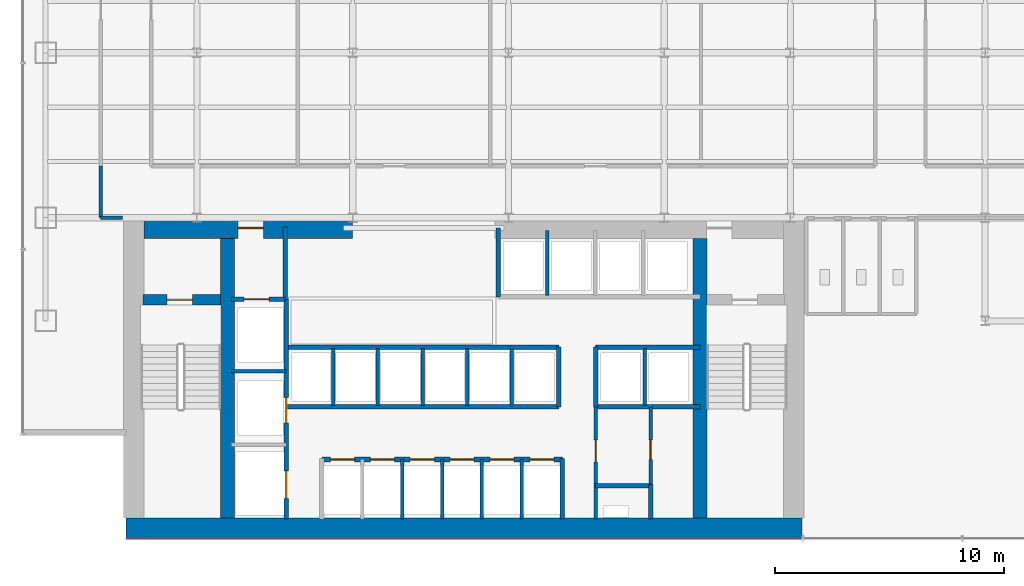
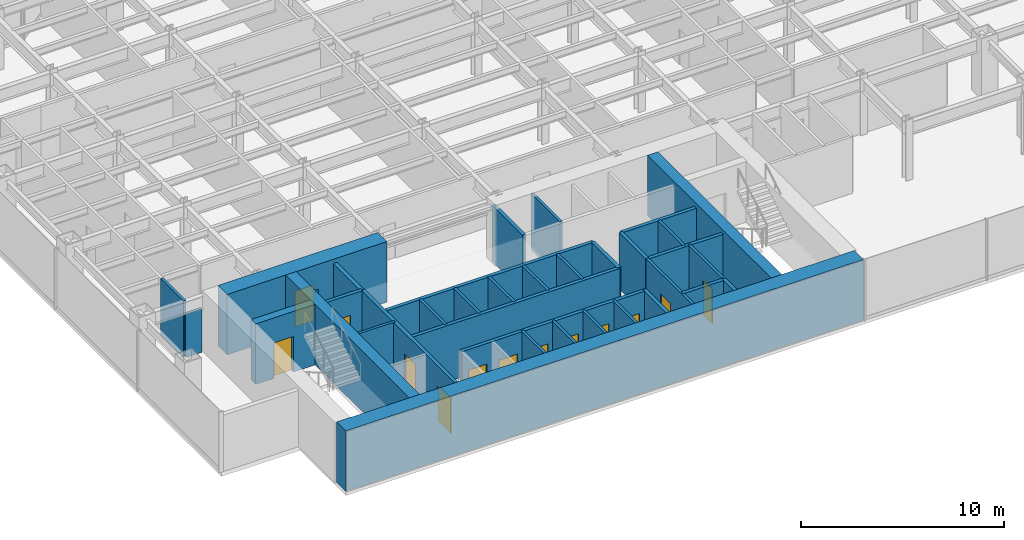
# One storey, part 17 of 22: 35 walls, 13 doors, 13 openings.
"""IFC4 building model written with IfcOpenShell, lengths in metres."""

from ifc_helpers import new_model, si_unit, derived_unit, direction, frame, frame_2d, origin, place, context, subcontext, project, spatial, rectangle, extrude, source, transform, mapped, material, layer, layer_set, type_object, element, fill, save


model = new_model("IFC4")

# Units and contexts
model_context = context("Model", 3, precision=1e-05, world=origin(), true_north=direction((0.0, 1.0)))
body_context = subcontext(model_context, "Body", "Model", "MODEL_VIEW")
ifc_project = project(units=[si_unit("LENGTHUNIT", "METRE"), si_unit("AREAUNIT", "SQUARE_METRE"), si_unit("VOLUMEUNIT", "CUBIC_METRE"), si_unit("PLANEANGLEUNIT", "RADIAN"), si_unit("MASSUNIT", "GRAM", prefix="KILO"), derived_unit("THERMALTRANSMITTANCEUNIT", [(si_unit("POWERUNIT", "WATT"), 1), (si_unit("LENGTHUNIT", "METRE"), -2), (si_unit("THERMODYNAMICTEMPERATUREUNIT", "KELVIN"), -1)])], contexts=[model_context])

# Site, building, storey
site_placement = place(None, origin())
site = spatial("IfcSite", under=ifc_project, at=site_placement, CompositionType="ELEMENT")
building_placement = place(site_placement, origin())
building = spatial("IfcBuilding", under=site, at=building_placement, Name="Skarnbrae Concourse Arena and Tower", CompositionType="ELEMENT")
storey_placement = place(building_placement, frame((0.0, 0.0, 65.35009765625)))
storey = spatial("IfcBuildingStorey", under=building, at=storey_placement, Name="L15", CompositionType="ELEMENT", Elevation=65.35009765625)

# Wall
ifc_material_1 = material(Name="Concrete 70 MPa (C70/85)", Category="concrete")
ifc_layer_1 = layer(ifc_material_1, 0.89990234375)
ifc_layer_set_1 = layer_set([ifc_layer_1], Name="Concrete 70 MPa (C70/85)")
wall_type_1 = type_object("IfcWallType", Name="WALL-CORE-900-C70", PredefinedType="SHEAR", material=ifc_layer_set_1)
shared_shape_1 = source(origin(), body_context, "Body", "SweptSolid", [
    extrude(rectangle(XDim=29.5, YDim=0.89990234375, at=frame_2d((14.75, 0.0))), origin(), (0.0, 0.0, 1.0), 3.64990234375),
])
wall_1_placement = place(storey_placement, frame((4.5, 0.449951171875, 0.0), z_axis=(0.0, 0.0, 1.0), x_axis=(1.0, 0.0, 0.0)))
element("IfcWall", 1, at=wall_1_placement, inside=storey, type_object=wall_type_1, Name="L15 Rear core shear wall CW-S", PredefinedType="SHEAR", context=body_context, shape_type="MappedRepresentation", body=[
    mapped(shared_shape_1, transform((0.0, 0.0, 0.0))),
])

# Wall, opening, door
shared_shape_2 = source(origin(), body_context, "Body", "SweptSolid", [
    extrude(rectangle(XDim=9.099853515625, YDim=0.89990234375, at=frame_2d((4.5498046875, 0.0))), origin(), (0.0, 0.0, 1.0), 3.64990234375),
])
wall_2_placement = place(storey_placement, frame((5.300048828125, 13.550048828125, 0.0), z_axis=(0.0, 0.0, 1.0), x_axis=(1.0, 0.0, 0.0)))
wall_2 = element("IfcWall", 2, at=wall_2_placement, inside=storey, type_object=wall_type_1, Name="L15 Rear core shear wall CW-NW", PredefinedType="SHEAR", context=body_context, shape_type="MappedRepresentation", body=[
    mapped(shared_shape_2, transform((0.0, 0.0, 0.0))),
])
opening_1_placement = place(wall_2_placement, frame((4.10009765625, 0.0, 0.0)))
opening_1 = element("IfcOpeningElement", 3, at=opening_1_placement, cuts=wall_2, Name="Opening DT-03", PredefinedType="OPENING", context=body_context, shape_type="SweptSolid", body=[
    extrude(rectangle(XDim=1.10009765625, YDim=2.14990234375, at=frame_2d((0.550048828125, 1.074951171875))), frame((0.0, 0.4599609375, 0.0), z_axis=(0.0, -1.0, 0.0), x_axis=(1.0, 0.0, 0.0)), (0.0, 0.0, 1.0), 0.919921875),
])
ifc_material_2 = material(Name="Steel CSA G40.21 350W", Category="steel")
door_type_1 = type_object("IfcDoorType", Name="DOOR-FIRE-1100-90M", OperationType="NOTDEFINED", PredefinedType="DOOR", material=ifc_material_2)
shared_shape_3 = source(origin(), body_context, "Body", "SweptSolid", [
    extrude(rectangle(XDim=1.10009765625, YDim=2.14990234375, at=frame_2d((0.550048828125, 1.074951171875))), frame((0.0, 0.02490234375, 0.0), z_axis=(0.0, -1.0, 0.0), x_axis=(1.0, 0.0, 0.0)), (0.0, 0.0, 1.0), 0.050048828125),
])
door_1_placement = place(opening_1_placement, origin())
door_1 = element("IfcDoor", 4, at=door_1_placement, inside=storey, type_object=door_type_1, Name="D-0576 Firefighting Lobby Exit Door", OperationType="SINGLE_SWING_RIGHT", OverallHeight=2.14990234375, OverallWidth=1.10009765625, PredefinedType="DOOR", context=body_context, shape_type="MappedRepresentation", body=[
    mapped(shared_shape_3, transform((0.0, 0.0, 0.0))),
])
fill(opening_1, door_1)

# Walls
ifc_layer_2 = layer(ifc_material_1, 0.60009765625)
ifc_layer_set_2 = layer_set([ifc_layer_2], Name="Concrete 70 MPa (C70/85)")
wall_type_2 = type_object("IfcWallType", Name="WALL-CORE-600-C70", PredefinedType="SHEAR", material=ifc_layer_set_2)
shared_shape_4 = source(origin(), body_context, "Body", "SweptSolid", [
    extrude(rectangle(XDim=12.2001953125, YDim=0.60009765625, at=frame_2d((6.10009765625, 0.0))), origin(), (0.0, 0.0, 1.0), 3.64990234375),
])
for number, where, z_axis, x_axis, name in (
    (5, (8.93994140625, 0.89990234375, 0.0), (0.0, 0.0, 1.0), (0.0, 1.0, 0.0), "L15 Rear core shear wall CW-WEB-W"),
    (6, (29.56005859375, 0.89990234375, 0.0), (0.0, 0.0, 1.0), (0.0, 1.0, 0.0), "L15 Rear core shear wall CW-WEB-E"),
):
    element("IfcWall", number, at=place(storey_placement, frame(where, z_axis=z_axis, x_axis=x_axis)), inside=storey, type_object=wall_type_2, Name=name, PredefinedType="SHEAR", context=body_context, shape_type="MappedRepresentation", body=[
        mapped(shared_shape_4, transform((0.0, 0.0, 0.0))),
    ])

# Wall, opening, door
ifc_material_3 = material(Name="Concrete 50 MPa (C50/60)", Category="concrete")
ifc_layer_3 = layer(ifc_material_3, 0.449951171875)
ifc_layer_set_3 = layer_set([ifc_layer_3], Name="Concrete 50 MPa (C50/60)")
wall_type_3 = type_object("IfcWallType", Name="WALL-CORE-450-C50", PredefinedType="SHEAR", material=ifc_layer_set_3)
shared_shape_5 = source(origin(), body_context, "Body", "SweptSolid", [
    extrude(rectangle(XDim=3.389892578125, YDim=0.449951171875, at=frame_2d((1.69482421875, 0.0))), origin(), (0.0, 0.0, 1.0), 3.64990234375),
])
wall_3_placement = place(storey_placement, frame((5.25, 10.419921875, 0.0), z_axis=(0.0, 0.0, 1.0), x_axis=(1.0, 0.0, 0.0)))
wall_3 = element("IfcWall", 7, at=wall_3_placement, inside=storey, type_object=wall_type_3, Name="L15 Rear core shear wall CW-ST1-N", PredefinedType="SHEAR", context=body_context, shape_type="MappedRepresentation", body=[
    mapped(shared_shape_5, transform((0.0, 0.0, 0.0))),
])
opening_2_placement = place(wall_3_placement, frame((1.050048828125, 0.0, 0.0)))
opening_2 = element("IfcOpeningElement", 8, at=opening_2_placement, cuts=wall_3, Name="Opening DT-03", PredefinedType="OPENING", context=body_context, shape_type="SweptSolid", body=[
    extrude(rectangle(XDim=1.10009765625, YDim=2.14990234375, at=frame_2d((0.550048828125, 1.074951171875))), frame((0.0, 0.23486328125, 0.0), z_axis=(0.0, -1.0, 0.0), x_axis=(1.0, 0.0, 0.0)), (0.0, 0.0, 1.0), 0.469970703125),
])
door_2_placement = place(opening_2_placement, frame((1.10009765625, 0.0, 0.0), z_axis=(0.0, 0.0, 1.0), x_axis=(-1.0, 0.0, 0.0)))
door_2 = element("IfcDoor", 9, at=door_2_placement, inside=storey, type_object=door_type_1, Name="D-0574 Stair ST-1 Door", OperationType="SINGLE_SWING_LEFT", OverallHeight=2.14990234375, OverallWidth=1.10009765625, PredefinedType="DOOR", context=body_context, shape_type="MappedRepresentation", body=[
    mapped(shared_shape_3, transform((0.0, 0.0, 0.0))),
])
fill(opening_2, door_2)

# Wall
ifc_material_4 = material(Name="Gypsum board on cold-formed steel studs", Category="steel")
ifc_layer_4 = layer(ifc_material_4, 0.199951171875)
ifc_layer_set_4 = layer_set([ifc_layer_4], Name="Gypsum board on cold-formed steel studs")
wall_type_4 = type_object("IfcWallType", Name="WALL-PART-200-2HR", PredefinedType="PARTITIONING", material=ifc_layer_set_4)
shared_shape_6 = source(origin(), body_context, "Body", "SweptSolid", [
    extrude(rectangle(XDim=3.18017578125, YDim=0.199951171875, at=frame_2d((1.590087890625, 0.0))), origin(), (0.0, 0.0, 1.0), 3.39990234375),
])
wall_4_placement = place(storey_placement, frame((11.449951171875, 10.419921875, 0.0), z_axis=(0.0, 0.0, 1.0), x_axis=(0.0, 1.0, 0.0)))
element("IfcWall", 10, at=wall_4_placement, inside=storey, type_object=wall_type_4, Name="L15 Interior partition wall W-L15-FFL-E", PredefinedType="PARTITIONING", context=body_context, shape_type="MappedRepresentation", body=[
    mapped(shared_shape_6, transform((0.0, 0.0, 0.0))),
])

# Wall, opening, door
shared_shape_7 = source(origin(), body_context, "Body", "SweptSolid", [
    extrude(rectangle(XDim=2.349853515625, YDim=0.199951171875, at=frame_2d((1.1748046875, 0.0))), origin(), (0.0, 0.0, 1.0), 3.39990234375),
])
wall_5_placement = place(storey_placement, frame((9.10009765625, 10.449951171875, 0.0), z_axis=(0.0, 0.0, 1.0), x_axis=(1.0, 0.0, 0.0)))
wall_5 = element("IfcWall", 11, at=wall_5_placement, inside=storey, type_object=wall_type_4, Name="L15 Interior partition wall W-L15-FL1-N", PredefinedType="PARTITIONING", context=body_context, shape_type="MappedRepresentation", body=[
    mapped(shared_shape_7, transform((0.0, 0.0, 0.0))),
])
opening_3_placement = place(wall_5_placement, frame((0.550048828125, 0.0, 0.0)))
opening_3 = element("IfcOpeningElement", 12, at=opening_3_placement, cuts=wall_5, Name="Opening LD-01", PredefinedType="OPENING", context=body_context, shape_type="SweptSolid", body=[
    extrude(rectangle(XDim=1.10009765625, YDim=2.14990234375, at=frame_2d((0.550048828125, 1.074951171875))), frame((0.0, 0.10986328125, 0.0), z_axis=(0.0, -1.0, 0.0), x_axis=(1.0, 0.0, 0.0)), (0.0, 0.0, 1.0), 0.219970703125),
])
door_type_2 = type_object("IfcDoorType", Name="DOOR-LIFT-SLIDE-1100", OperationType="SLIDING_TO_LEFT", PredefinedType="DOOR", material=ifc_material_2)
door_3_placement = place(opening_3_placement, origin())
door_3 = element("IfcDoor", 13, at=door_3_placement, inside=storey, type_object=door_type_2, Name="D-0578 Firefighting Lift Landing Door FL-01", OperationType="SLIDING_TO_LEFT", OverallHeight=2.14990234375, OverallWidth=1.10009765625, PredefinedType="DOOR", context=body_context, shape_type="MappedRepresentation", body=[
    mapped(shared_shape_3, transform((0.0, 0.0, 0.0))),
])
fill(opening_3, door_3)

# Wall, openings, doors
shared_shape_8 = source(origin(), body_context, "Body", "SweptSolid", [
    extrude(rectangle(XDim=9.599853515625, YDim=0.199951171875, at=frame_2d((4.7998046875, 0.0))), origin(), (0.0, 0.0, 1.0), 3.39990234375),
])
wall_6_placement = place(storey_placement, frame((11.5, 0.85009765625, 0.0), z_axis=(0.0, 0.0, 1.0), x_axis=(0.0, 1.0, 0.0)))
wall_6 = element("IfcWall", 14, at=wall_6_placement, inside=storey, type_object=wall_type_4, Name="L15 Interior partition wall W-L15-FL-E", PredefinedType="PARTITIONING", context=body_context, shape_type="MappedRepresentation", body=[
    mapped(shared_shape_8, transform((0.0, 0.0, 0.0))),
])
opening_4_placement = place(wall_6_placement, frame((4.199951171875, 0.0, 0.0)))
opening_4 = element("IfcOpeningElement", 15, at=opening_4_placement, cuts=wall_6, Name="Opening LD-01", PredefinedType="OPENING", context=body_context, shape_type="SweptSolid", body=[
    extrude(rectangle(XDim=1.10009765625, YDim=2.14990234375, at=frame_2d((0.550048828125, 1.074951171875))), frame((0.0, 0.10986328125, 0.0), z_axis=(0.0, -1.0, 0.0), x_axis=(1.0, 0.0, 0.0)), (0.0, 0.0, 1.0), 0.219970703125),
])
opening_5_placement = place(wall_6_placement, frame((0.89990234375, 0.0, 0.0)))
opening_5 = element("IfcOpeningElement", 16, at=opening_5_placement, cuts=wall_6, Name="Opening LD-02", PredefinedType="OPENING", context=body_context, shape_type="SweptSolid", body=[
    extrude(rectangle(XDim=1.199951171875, YDim=2.14990234375, at=frame_2d((0.60009765625, 1.074951171875))), frame((0.0, 0.10986328125, 0.0), z_axis=(0.0, -1.0, 0.0), x_axis=(1.0, 0.0, 0.0)), (0.0, 0.0, 1.0), 0.219970703125),
])
door_4_placement = place(opening_4_placement, frame((1.10009765625, 0.0, 0.0), z_axis=(0.0, 0.0, 1.0), x_axis=(-1.0, 0.0, 0.0)))
door_4 = element("IfcDoor", 17, at=door_4_placement, inside=storey, type_object=door_type_2, Name="D-0579 Firefighting Lift Landing Door FL-02", OperationType="SLIDING_TO_LEFT", OverallHeight=2.14990234375, OverallWidth=1.10009765625, PredefinedType="DOOR", context=body_context, shape_type="MappedRepresentation", body=[
    mapped(shared_shape_3, transform((0.0, 0.0, 0.0))),
])
fill(opening_4, door_4)
door_type_3 = type_object("IfcDoorType", Name="DOOR-LIFT-SLIDE-1200", OperationType="SLIDING_TO_LEFT", PredefinedType="DOOR", material=ifc_material_2)
shared_shape_9 = source(origin(), body_context, "Body", "SweptSolid", [
    extrude(rectangle(XDim=1.199951171875, YDim=2.14990234375, at=frame_2d((0.60009765625, 1.074951171875))), frame((0.0, 0.02490234375, 0.0), z_axis=(0.0, -1.0, 0.0), x_axis=(1.0, 0.0, 0.0)), (0.0, 0.0, 1.0), 0.050048828125),
])
door_5_placement = place(opening_5_placement, frame((1.199951171875, 0.0, 0.0), z_axis=(0.0, 0.0, 1.0), x_axis=(-1.0, 0.0, 0.0)))
door_5 = element("IfcDoor", 18, at=door_5_placement, inside=storey, type_object=door_type_3, Name="D-0580 Service Lift Landing Door SV-01", OperationType="SLIDING_TO_LEFT", OverallHeight=2.14990234375, OverallWidth=1.199951171875, PredefinedType="DOOR", context=body_context, shape_type="MappedRepresentation", body=[
    mapped(shared_shape_9, transform((0.0, 0.0, 0.0))),
])
fill(opening_5, door_5)

# Walls
ifc_layer_5 = layer(ifc_material_4, 0.14990234375)
ifc_layer_set_5 = layer_set([ifc_layer_5], Name="Gypsum board on cold-formed steel studs")
wall_type_5 = type_object("IfcWallType", Name="WALL-PART-150", PredefinedType="PARTITIONING", material=ifc_layer_set_5)
shared_shape_10 = source(origin(), body_context, "Body", "SweptSolid", [
    extrude(rectangle(XDim=2.39990234375, YDim=0.14990234375, at=frame_2d((1.199951171875, 0.0))), origin(), (0.0, 0.0, 1.0), 3.39990234375),
])
wall_7_placement = place(storey_placement, frame((9.10009765625, 7.300048828125, 0.0), z_axis=(0.0, 0.0, 1.0), x_axis=(1.0, 0.0, 0.0)))
element("IfcWall", 19, at=wall_7_placement, inside=storey, type_object=wall_type_5, Name="L15 Interior partition wall W-L15-FL-D2", PredefinedType="PARTITIONING", context=body_context, shape_type="MappedRepresentation", body=[
    mapped(shared_shape_10, transform((0.0, 0.0, 0.0))),
])
shared_shape_11 = source(origin(), body_context, "Body", "SweptSolid", [
    extrude(rectangle(XDim=2.64990234375, YDim=0.199951171875, at=frame_2d((1.324951171875, 0.0))), origin(), (0.0, 0.0, 1.0), 3.39990234375),
])
wall_8_placement = place(storey_placement, frame((23.550048828125, 0.85009765625, 0.0), z_axis=(0.0, 0.0, 1.0), x_axis=(0.0, 1.0, 0.0)))
element("IfcWall", 20, at=wall_8_placement, inside=storey, type_object=wall_type_4, Name="L15 Interior partition wall W-L15-B1-E", PredefinedType="PARTITIONING", context=body_context, shape_type="MappedRepresentation", body=[
    mapped(shared_shape_11, transform((0.0, 0.0, 0.0))),
])

# Wall, openings, doors
shared_shape_12 = source(origin(), body_context, "Body", "SweptSolid", [
    extrude(rectangle(XDim=10.5, YDim=0.199951171875, at=frame_2d((5.25, 0.0))), origin(), (0.0, 0.0, 1.0), 3.39990234375),
])
wall_9_placement = place(storey_placement, frame((13.050048828125, 3.449951171875, 0.0), z_axis=(0.0, 0.0, 1.0), x_axis=(1.0, 0.0, 0.0)))
wall_9 = element("IfcWall", 21, at=wall_9_placement, inside=storey, type_object=wall_type_4, Name="L15 Interior partition wall W-L15-B1-N", PredefinedType="PARTITIONING", context=body_context, shape_type="MappedRepresentation", body=[
    mapped(shared_shape_12, transform((0.0, 0.0, 0.0))),
])
opening_6_placement = place(wall_9_placement, frame((0.3798828125, 0.0, 0.0)))
opening_6 = element("IfcOpeningElement", 22, at=opening_6_placement, cuts=wall_9, Name="Opening LD-03", PredefinedType="OPENING", context=body_context, shape_type="SweptSolid", body=[
    extrude(rectangle(XDim=1.050048828125, YDim=2.14990234375, at=frame_2d((0.52490234375, 1.074951171875))), frame((0.0, 0.10986328125, 0.0), z_axis=(0.0, -1.0, 0.0), x_axis=(1.0, 0.0, 0.0)), (0.0, 0.0, 1.0), 0.219970703125),
])
opening_7_placement = place(wall_9_placement, frame((2.1201171875, 0.0, 0.0)))
opening_7 = element("IfcOpeningElement", 23, at=opening_7_placement, cuts=wall_9, Name="Opening LD-03", PredefinedType="OPENING", context=body_context, shape_type="SweptSolid", body=[
    extrude(rectangle(XDim=1.050048828125, YDim=2.14990234375, at=frame_2d((0.52490234375, 1.074951171875))), frame((0.0, 0.10986328125, 0.0), z_axis=(0.0, -1.0, 0.0), x_axis=(1.0, 0.0, 0.0)), (0.0, 0.0, 1.0), 0.219970703125),
])
opening_8_placement = place(wall_9_placement, frame((3.860107421875, 0.0, 0.0)))
opening_8 = element("IfcOpeningElement", 24, at=opening_8_placement, cuts=wall_9, Name="Opening LD-03", PredefinedType="OPENING", context=body_context, shape_type="SweptSolid", body=[
    extrude(rectangle(XDim=1.050048828125, YDim=2.14990234375, at=frame_2d((0.52490234375, 1.074951171875))), frame((0.0, 0.10986328125, 0.0), z_axis=(0.0, -1.0, 0.0), x_axis=(1.0, 0.0, 0.0)), (0.0, 0.0, 1.0), 0.219970703125),
])
opening_9_placement = place(wall_9_placement, frame((5.60009765625, 0.0, 0.0)))
opening_9 = element("IfcOpeningElement", 25, at=opening_9_placement, cuts=wall_9, Name="Opening LD-03", PredefinedType="OPENING", context=body_context, shape_type="SweptSolid", body=[
    extrude(rectangle(XDim=1.050048828125, YDim=2.14990234375, at=frame_2d((0.52490234375, 1.074951171875))), frame((0.0, 0.10986328125, 0.0), z_axis=(0.0, -1.0, 0.0), x_axis=(1.0, 0.0, 0.0)), (0.0, 0.0, 1.0), 0.219970703125),
])
opening_10_placement = place(wall_9_placement, frame((7.340087890625, 0.0, 0.0)))
opening_10 = element("IfcOpeningElement", 26, at=opening_10_placement, cuts=wall_9, Name="Opening LD-03", PredefinedType="OPENING", context=body_context, shape_type="SweptSolid", body=[
    extrude(rectangle(XDim=1.050048828125, YDim=2.14990234375, at=frame_2d((0.52490234375, 1.074951171875))), frame((0.0, 0.10986328125, 0.0), z_axis=(0.0, -1.0, 0.0), x_axis=(1.0, 0.0, 0.0)), (0.0, 0.0, 1.0), 0.219970703125),
])
opening_11_placement = place(wall_9_placement, frame((9.080078125, 0.0, 0.0)))
opening_11 = element("IfcOpeningElement", 27, at=opening_11_placement, cuts=wall_9, Name="Opening LD-03", PredefinedType="OPENING", context=body_context, shape_type="SweptSolid", body=[
    extrude(rectangle(XDim=1.050048828125, YDim=2.14990234375, at=frame_2d((0.52490234375, 1.074951171875))), frame((0.0, 0.10986328125, 0.0), z_axis=(0.0, -1.0, 0.0), x_axis=(1.0, 0.0, 0.0)), (0.0, 0.0, 1.0), 0.219970703125),
])
ifc_material_5 = material(Name="Bronze anodised aluminium 6063-T6", Category="aluminium")
door_type_4 = type_object("IfcDoorType", Name="DOOR-LIFT-SLIDE-1050", OperationType="SLIDING_TO_LEFT", PredefinedType="DOOR", material=ifc_material_5)
shared_shape_13 = source(origin(), body_context, "Body", "SweptSolid", [
    extrude(rectangle(XDim=1.050048828125, YDim=2.14990234375, at=frame_2d((0.52490234375, 1.074951171875))), frame((0.0, 0.02490234375, 0.0), z_axis=(0.0, -1.0, 0.0), x_axis=(1.0, 0.0, 0.0)), (0.0, 0.0, 1.0), 0.050048828125),
])
door_6_placement = place(opening_6_placement, origin())
door_6 = element("IfcDoor", 28, at=door_6_placement, inside=storey, type_object=door_type_4, Name="D-0581 Passenger Lift Landing Door PL-1A", OperationType="SLIDING_TO_LEFT", OverallHeight=2.14990234375, OverallWidth=1.050048828125, PredefinedType="DOOR", context=body_context, shape_type="MappedRepresentation", body=[
    mapped(shared_shape_13, transform((0.0, 0.0, 0.0))),
])
fill(opening_6, door_6)
door_7_placement = place(opening_7_placement, origin())
door_7 = element("IfcDoor", 29, at=door_7_placement, inside=storey, type_object=door_type_4, Name="D-0582 Passenger Lift Landing Door PL-1B", OperationType="SLIDING_TO_LEFT", OverallHeight=2.14990234375, OverallWidth=1.050048828125, PredefinedType="DOOR", context=body_context, shape_type="MappedRepresentation", body=[
    mapped(shared_shape_13, transform((0.0, 0.0, 0.0))),
])
fill(opening_7, door_7)
door_8_placement = place(opening_8_placement, origin())
door_8 = element("IfcDoor", 30, at=door_8_placement, inside=storey, type_object=door_type_4, Name="D-0583 Passenger Lift Landing Door PL-1C", OperationType="SLIDING_TO_LEFT", OverallHeight=2.14990234375, OverallWidth=1.050048828125, PredefinedType="DOOR", context=body_context, shape_type="MappedRepresentation", body=[
    mapped(shared_shape_13, transform((0.0, 0.0, 0.0))),
])
fill(opening_8, door_8)
door_9_placement = place(opening_9_placement, origin())
door_9 = element("IfcDoor", 31, at=door_9_placement, inside=storey, type_object=door_type_4, Name="D-0584 Passenger Lift Landing Door PL-1D", OperationType="SLIDING_TO_LEFT", OverallHeight=2.14990234375, OverallWidth=1.050048828125, PredefinedType="DOOR", context=body_context, shape_type="MappedRepresentation", body=[
    mapped(shared_shape_13, transform((0.0, 0.0, 0.0))),
])
fill(opening_9, door_9)
door_10_placement = place(opening_10_placement, origin())
door_10 = element("IfcDoor", 32, at=door_10_placement, inside=storey, type_object=door_type_4, Name="D-0585 Passenger Lift Landing Door PL-1E", OperationType="SLIDING_TO_LEFT", OverallHeight=2.14990234375, OverallWidth=1.050048828125, PredefinedType="DOOR", context=body_context, shape_type="MappedRepresentation", body=[
    mapped(shared_shape_13, transform((0.0, 0.0, 0.0))),
])
fill(opening_10, door_10)
door_11_placement = place(opening_11_placement, origin())
door_11 = element("IfcDoor", 33, at=door_11_placement, inside=storey, type_object=door_type_4, Name="D-0586 Passenger Lift Landing Door PL-1F", OperationType="SLIDING_TO_LEFT", OverallHeight=2.14990234375, OverallWidth=1.050048828125, PredefinedType="DOOR", context=body_context, shape_type="MappedRepresentation", body=[
    mapped(shared_shape_13, transform((0.0, 0.0, 0.0))),
])
fill(opening_11, door_11)

# Walls
shared_shape_14 = source(origin(), body_context, "Body", "SweptSolid", [
    extrude(rectangle(XDim=2.599853515625, YDim=0.14990234375, at=frame_2d((1.2998046875, 0.0))), origin(), (0.0, 0.0, 1.0), 3.39990234375),
])
for number, where, z_axis, x_axis, name in (
    (34, (16.56005859375, 0.85009765625, 0.0), (0.0, 0.0, 1.0), (0.0, 1.0, 0.0), "L15 Interior partition wall W-L15-B1-P2"),
    (35, (18.300048828125, 0.85009765625, 0.0), (0.0, 0.0, 1.0), (0.0, 1.0, 0.0), "L15 Interior partition wall W-L15-B1-P3"),
    (36, (20.0400390625, 0.85009765625, 0.0), (0.0, 0.0, 1.0), (0.0, 1.0, 0.0), "L15 Interior partition wall W-L15-B1-P4"),
    (37, (21.780029296875, 0.85009765625, 0.0), (0.0, 0.0, 1.0), (0.0, 1.0, 0.0), "L15 Interior partition wall W-L15-B1-P5"),
):
    element("IfcWall", number, at=place(storey_placement, frame(where, z_axis=z_axis, x_axis=x_axis)), inside=storey, type_object=wall_type_5, Name=name, PredefinedType="PARTITIONING", context=body_context, shape_type="MappedRepresentation", body=[
        mapped(shared_shape_14, transform((0.0, 0.0, 0.0))),
    ])
shared_shape_15 = source(origin(), body_context, "Body", "SweptSolid", [
    extrude(rectangle(XDim=11.849853515625, YDim=0.199951171875, at=frame_2d((5.9248046875, 0.0))), origin(), (0.0, 0.0, 1.0), 3.39990234375),
])
for number, where, z_axis, x_axis, name in (
    (38, (11.550048828125, 5.75, 0.0), (0.0, 0.0, 1.0), (1.0, 0.0, 0.0), "L15 Interior partition wall W-L15-B2-S"),
    (39, (11.550048828125, 8.35009765625, 0.0), (0.0, 0.0, 1.0), (1.0, 0.0, 0.0), "L15 Interior partition wall W-L15-B2-N"),
):
    element("IfcWall", number, at=place(storey_placement, frame(where, z_axis=z_axis, x_axis=x_axis)), inside=storey, type_object=wall_type_4, Name=name, PredefinedType="PARTITIONING", context=body_context, shape_type="MappedRepresentation", body=[
        mapped(shared_shape_15, transform((0.0, 0.0, 0.0))),
    ])
shared_shape_16 = source(origin(), body_context, "Body", "SweptSolid", [
    extrude(rectangle(XDim=2.60009765625, YDim=0.199951171875, at=frame_2d((1.300048828125, 0.0))), origin(), (0.0, 0.0, 1.0), 3.39990234375),
])
for number, where, z_axis, x_axis, name in (
    (40, (23.39990234375, 5.75, 0.0), (0.0, 0.0, 1.0), (0.0, 1.0, 0.0), "L15 Interior partition wall W-L15-B2-E"),
    (41, (25.0, 5.75, 0.0), (0.0, 0.0, 1.0), (0.0, 1.0, 0.0), "L15 Interior partition wall W-L15-B3S-W"),
):
    element("IfcWall", number, at=place(storey_placement, frame(where, z_axis=z_axis, x_axis=x_axis)), inside=storey, type_object=wall_type_4, Name=name, PredefinedType="PARTITIONING", context=body_context, shape_type="MappedRepresentation", body=[
        mapped(shared_shape_16, transform((0.0, 0.0, 0.0))),
    ])
shared_shape_17 = source(origin(), body_context, "Body", "SweptSolid", [
    extrude(rectangle(XDim=2.5, YDim=0.14990234375, at=frame_2d((1.25, 0.0))), origin(), (0.0, 0.0, 1.0), 3.39990234375),
])
for number, where, z_axis, x_axis, name in (
    (42, (13.550048828125, 5.800048828125, 0.0), (0.0, 0.0, 1.0), (0.0, 1.0, 0.0), "L15 Interior partition wall W-L15-B2-P1"),
    (43, (15.5, 5.800048828125, 0.0), (0.0, 0.0, 1.0), (0.0, 1.0, 0.0), "L15 Interior partition wall W-L15-B2-P2"),
    (44, (17.449951171875, 5.800048828125, 0.0), (0.0, 0.0, 1.0), (0.0, 1.0, 0.0), "L15 Interior partition wall W-L15-B2-P3"),
    (45, (19.39990234375, 5.800048828125, 0.0), (0.0, 0.0, 1.0), (0.0, 1.0, 0.0), "L15 Interior partition wall W-L15-B2-P4"),
    (46, (21.35009765625, 5.800048828125, 0.0), (0.0, 0.0, 1.0), (0.0, 1.0, 0.0), "L15 Interior partition wall W-L15-B2-P5"),
    (47, (27.139892578125, 5.800048828125, 0.0), (0.0, 0.0, 1.0), (0.0, 1.0, 0.0), "L15 Interior partition wall W-L15-B3S-P1"),
):
    element("IfcWall", number, at=place(storey_placement, frame(where, z_axis=z_axis, x_axis=x_axis)), inside=storey, type_object=wall_type_5, Name=name, PredefinedType="PARTITIONING", context=body_context, shape_type="MappedRepresentation", body=[
        mapped(shared_shape_17, transform((0.0, 0.0, 0.0))),
    ])
shared_shape_18 = source(origin(), body_context, "Body", "SweptSolid", [
    extrude(rectangle(XDim=3.0, YDim=0.199951171875, at=frame_2d((1.5, 0.0))), origin(), (0.0, 0.0, 1.0), 3.39990234375),
])
wall_10_placement = place(storey_placement, frame((20.75, 10.550048828125, 0.0), z_axis=(0.0, 0.0, 1.0), x_axis=(0.0, 1.0, 0.0)))
element("IfcWall", 48, at=wall_10_placement, inside=storey, type_object=wall_type_4, Name="L15 Interior partition wall W-L15-B3N-W", PredefinedType="PARTITIONING", context=body_context, shape_type="MappedRepresentation", body=[
    mapped(shared_shape_18, transform((0.0, 0.0, 0.0))),
])
shared_shape_19 = source(origin(), body_context, "Body", "SweptSolid", [
    extrude(rectangle(XDim=2.849853515625, YDim=0.14990234375, at=frame_2d((1.4248046875, 0.0))), origin(), (0.0, 0.0, 1.0), 3.39990234375),
])
wall_11_placement = place(storey_placement, frame((22.889892578125, 10.60009765625, 0.0), z_axis=(0.0, 0.0, 1.0), x_axis=(0.0, 1.0, 0.0)))
element("IfcWall", 49, at=wall_11_placement, inside=storey, type_object=wall_type_5, Name="L15 Interior partition wall W-L15-B3N-P1", PredefinedType="PARTITIONING", context=body_context, shape_type="MappedRepresentation", body=[
    mapped(shared_shape_19, transform((0.0, 0.0, 0.0))),
])
shared_shape_20 = source(origin(), body_context, "Body", "SweptSolid", [
    extrude(rectangle(XDim=4.550048828125, YDim=0.199951171875, at=frame_2d((2.27490234375, 0.0))), origin(), (0.0, 0.0, 1.0), 3.39990234375),
])
for number, where, z_axis, x_axis, name in (
    (50, (25.0, 8.35009765625, 0.0), (0.0, 0.0, 1.0), (1.0, 0.0, 0.0), "L15 Interior partition wall W-L15-B3S-N"),
    (51, (25.0, 5.75, 0.0), (0.0, 0.0, 1.0), (1.0, 0.0, 0.0), "L15 Interior partition wall W-L15-B3S-S"),
):
    element("IfcWall", number, at=place(storey_placement, frame(where, z_axis=z_axis, x_axis=x_axis)), inside=storey, type_object=wall_type_4, Name=name, PredefinedType="PARTITIONING", context=body_context, shape_type="MappedRepresentation", body=[
        mapped(shared_shape_20, transform((0.0, 0.0, 0.0))),
    ])

# Wall, opening, door
ifc_layer_6 = layer(ifc_material_4, 0.14990234375)
ifc_layer_set_6 = layer_set([ifc_layer_6], Name="Gypsum board on cold-formed steel studs")
wall_type_6 = type_object("IfcWallType", Name="WALL-PART-150-1HR", PredefinedType="PARTITIONING", material=ifc_layer_set_6)
shared_shape_21 = source(origin(), body_context, "Body", "SweptSolid", [
    extrude(rectangle(XDim=4.89990234375, YDim=0.14990234375, at=frame_2d((2.449951171875, 0.0))), origin(), (0.0, 0.0, 1.0), 3.39990234375),
])
wall_12_placement = place(storey_placement, frame((25.0, 0.85009765625, 0.0), z_axis=(0.0, 0.0, 1.0), x_axis=(0.0, 1.0, 0.0)))
wall_12 = element("IfcWall", 52, at=wall_12_placement, inside=storey, type_object=wall_type_6, Name="L15 Interior partition wall W-L15-CSV-W", PredefinedType="PARTITIONING", context=body_context, shape_type="MappedRepresentation", body=[
    mapped(shared_shape_21, transform((0.0, 0.0, 0.0))),
])
opening_12_placement = place(wall_12_placement, frame((2.5, 0.0, 0.0)))
opening_12 = element("IfcOpeningElement", 53, at=opening_12_placement, cuts=wall_12, Name="Opening DT-04", PredefinedType="OPENING", context=body_context, shape_type="SweptSolid", body=[
    extrude(rectangle(XDim=0.949951171875, YDim=2.14990234375, at=frame_2d((0.47509765625, 1.074951171875))), frame((0.0, 0.0849609375, 0.0), z_axis=(0.0, -1.0, 0.0), x_axis=(1.0, 0.0, 0.0)), (0.0, 0.0, 1.0), 0.169921875),
])
door_type_5 = type_object("IfcDoorType", Name="DOOR-INT-950-45M", OperationType="NOTDEFINED", PredefinedType="DOOR", material=ifc_material_2)
shared_shape_22 = source(origin(), body_context, "Body", "SweptSolid", [
    extrude(rectangle(XDim=0.949951171875, YDim=2.14990234375, at=frame_2d((0.47509765625, 1.074951171875))), frame((0.0, 0.02490234375, 0.0), z_axis=(0.0, -1.0, 0.0), x_axis=(1.0, 0.0, 0.0)), (0.0, 0.0, 1.0), 0.050048828125),
])
door_12_placement = place(opening_12_placement, origin())
door_12 = element("IfcDoor", 54, at=door_12_placement, inside=storey, type_object=door_type_5, Name="D-0587 Core Pantry Door", OperationType="SINGLE_SWING_RIGHT", OverallHeight=2.14990234375, OverallWidth=0.949951171875, PredefinedType="DOOR", context=body_context, shape_type="MappedRepresentation", body=[
    mapped(shared_shape_22, transform((0.0, 0.0, 0.0))),
])
fill(opening_12, door_12)

# Walls
shared_shape_23 = source(origin(), body_context, "Body", "SweptSolid", [
    extrude(rectangle(XDim=2.39990234375, YDim=0.199951171875, at=frame_2d((1.199951171875, 0.0))), origin(), (0.0, 0.0, 1.0), 3.39990234375),
])
wall_13_placement = place(storey_placement, frame((25.0, 2.300048828125, 0.0), z_axis=(0.0, 0.0, 1.0), x_axis=(1.0, 0.0, 0.0)))
element("IfcWall", 55, at=wall_13_placement, inside=storey, type_object=wall_type_4, Name="L15 Interior partition wall W-L15-MEP-N", PredefinedType="PARTITIONING", context=body_context, shape_type="MappedRepresentation", body=[
    mapped(shared_shape_23, transform((0.0, 0.0, 0.0))),
])
shared_shape_24 = source(origin(), body_context, "Body", "SweptSolid", [
    extrude(rectangle(XDim=1.5, YDim=0.199951171875, at=frame_2d((0.75, 0.0))), origin(), (0.0, 0.0, 1.0), 3.39990234375),
])
wall_14_placement = place(storey_placement, frame((27.39990234375, 0.85009765625, 0.0), z_axis=(0.0, 0.0, 1.0), x_axis=(0.0, 1.0, 0.0)))
element("IfcWall", 56, at=wall_14_placement, inside=storey, type_object=wall_type_4, Name="L15 Interior partition wall W-L15-MEP-E", PredefinedType="PARTITIONING", context=body_context, shape_type="MappedRepresentation", body=[
    mapped(shared_shape_24, transform((0.0, 0.0, 0.0))),
])
shared_shape_25 = source(origin(), body_context, "Body", "SweptSolid", [
    extrude(rectangle(XDim=0.9501953125, YDim=0.14990234375, at=frame_2d((0.47509765625, 0.0))), origin(), (0.0, 0.0, 1.0), 2.625),
])
wall_15_placement = place(storey_placement, frame((4.35009765625, 14.0, 0.0), z_axis=(0.0, 0.0, 1.0), x_axis=(-1.0, 0.0, 0.0)))
element("IfcWall", 57, at=wall_15_placement, inside=storey, type_object=wall_type_6, Name="L15 Interior partition wall W-L15-COR-01", PredefinedType="PARTITIONING", context=body_context, shape_type="MappedRepresentation", body=[
    mapped(shared_shape_25, transform((0.0, 0.0, 0.0))),
])
shared_shape_26 = source(origin(), body_context, "Body", "SweptSolid", [
    extrude(rectangle(XDim=2.25, YDim=0.14990234375, at=frame_2d((1.125, 0.0))), origin(), (0.0, 0.0, 1.0), 3.39990234375),
])
wall_16_placement = place(storey_placement, frame((3.39990234375, 14.0, 0.0), z_axis=(0.0, 0.0, 1.0), x_axis=(0.0, 1.0, 0.0)))
element("IfcWall", 58, at=wall_16_placement, inside=storey, type_object=wall_type_6, Name="L15 Interior partition wall W-L15-COR-02", PredefinedType="PARTITIONING", context=body_context, shape_type="MappedRepresentation", body=[
    mapped(shared_shape_26, transform((0.0, 0.0, 0.0))),
])

# Wall, opening, door
shared_shape_27 = source(origin(), body_context, "Body", "SweptSolid", [
    extrude(rectangle(XDim=3.39990234375, YDim=0.14990234375, at=frame_2d((1.699951171875, 0.0))), origin(), (0.0, 0.0, 1.0), 3.39990234375),
])
wall_17_placement = place(storey_placement, frame((27.39990234375, 2.35009765625, 0.0), z_axis=(0.0, 0.0, 1.0), x_axis=(0.0, 1.0, 0.0)))
wall_17 = element("IfcWall", 59, at=wall_17_placement, inside=storey, type_object=wall_type_5, Name="L15 Interior partition wall W-L15-CSV-V", PredefinedType="PARTITIONING", context=body_context, shape_type="MappedRepresentation", body=[
    mapped(shared_shape_27, transform((0.0, 0.0, 0.0))),
])
opening_13_placement = place(wall_17_placement, frame((1.10009765625, 0.0, 0.0)))
opening_13 = element("IfcOpeningElement", 60, at=opening_13_placement, cuts=wall_17, Name="Opening DT-06", PredefinedType="OPENING", context=body_context, shape_type="SweptSolid", body=[
    extrude(rectangle(XDim=0.85009765625, YDim=2.10009765625, at=frame_2d((0.425048828125, 1.050048828125))), frame((0.0, 0.0849609375, 0.0), z_axis=(0.0, -1.0, 0.0), x_axis=(1.0, 0.0, 0.0)), (0.0, 0.0, 1.0), 0.169921875),
])
ifc_material_6 = material(Name="Architectural oak veneer timber leaf", Category="wood")
door_type_6 = type_object("IfcDoorType", Name="DOOR-INT-850", OperationType="NOTDEFINED", PredefinedType="DOOR", material=ifc_material_6)
shared_shape_28 = source(origin(), body_context, "Body", "SweptSolid", [
    extrude(rectangle(XDim=0.85009765625, YDim=2.10009765625, at=frame_2d((0.425048828125, 1.050048828125))), frame((0.0, 0.02490234375, 0.0), z_axis=(0.0, -1.0, 0.0), x_axis=(1.0, 0.0, 0.0)), (0.0, 0.0, 1.0), 0.050048828125),
])
door_13_placement = place(opening_13_placement, frame((0.85009765625, 0.0, 0.0), z_axis=(0.0, 0.0, 1.0), x_axis=(-1.0, 0.0, 0.0)))
door_13 = element("IfcDoor", 61, at=door_13_placement, inside=storey, type_object=door_type_6, Name="D-0588 Supply Cupboard Door", OperationType="SINGLE_SWING_LEFT", OverallHeight=2.10009765625, OverallWidth=0.85009765625, PredefinedType="DOOR", context=body_context, shape_type="MappedRepresentation", body=[
    mapped(shared_shape_28, transform((0.0, 0.0, 0.0))),
])
fill(opening_13, door_13)

save(model, "model.ifc")
